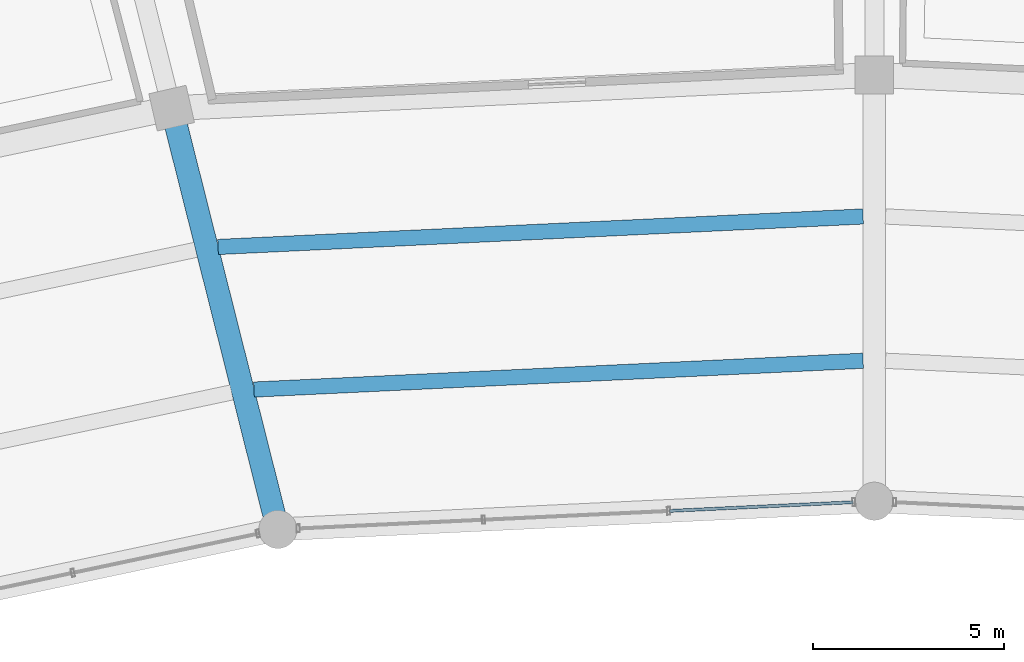
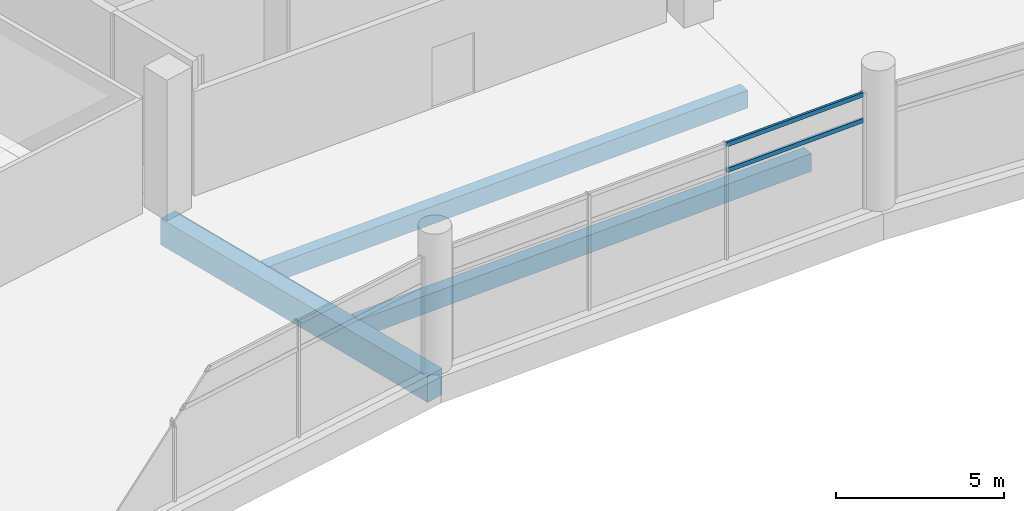
# One storey, part 109 of 184: 3 beams, 2 members, 1 element without a shape of its own.
"""IFC4 building model written with IfcOpenShell, lengths in metres."""

from ifc_helpers import new_model, si_unit, direction, frame, origin, origin_2d, place, context, subcontext, project, spatial, rectangle, hollow_rectangle, extrude, material, layer, layer_set, material_profile, profile_set, type_object, element, aggregate, save


model = new_model("IFC4")

# Units and contexts
model_context = context("Model", 3, precision=1e-05, world=origin(), true_north=direction((0.0, 1.0)))
body_context = subcontext(model_context, "Body", "Model", "MODEL_VIEW")
ifc_project = project(units=[si_unit("LENGTHUNIT", "METRE"), si_unit("AREAUNIT", "SQUARE_METRE"), si_unit("VOLUMEUNIT", "CUBIC_METRE"), si_unit("PLANEANGLEUNIT", "RADIAN"), si_unit("MASSUNIT", "GRAM", prefix="KILO")], contexts=[model_context])

# Site, building, storey
site_placement = place(None, origin())
site = spatial("IfcSite", under=ifc_project, at=site_placement, CompositionType="ELEMENT")
building_placement = place(site_placement, origin())
building = spatial("IfcBuilding", under=site, at=building_placement, Name="Kazemori Nagisa Stadium", CompositionType="ELEMENT")
storey_placement = place(building_placement, frame((0.0, 0.0, 10.5400390625)))
storey = spatial("IfcBuildingStorey", under=building, at=storey_placement, Name="L02", CompositionType="ELEMENT", Elevation=10.5400390625)

# Beams
ifc_material_1 = material(Name="Concrete C40/50 (Fc42)", Category="concrete")
ifc_material_profile_1 = material_profile(ifc_material_1, rectangle(XDim=0.60009765625, YDim=0.949951171875, at=origin_2d()), Name="RC-BM-600x950")
ifc_profile_set_1 = profile_set([ifc_material_profile_1], Name="Concrete C40/50 (Fc42)")
beam_type_1 = type_object("IfcBeamType", Name="Beam_BG-RC600X950", PredefinedType="BEAM", material=ifc_profile_set_1)
beam_1_placement = place(storey_placement, frame((107.35791015625, 164.040283203125, -0.735107421875), z_axis=(-0.244481205955, 0.969654031052, 0.0), x_axis=(-0.969654031052, -0.244481205955, 0.0)))
element("IfcBeam", 1, at=beam_1_placement, inside=storey, type_object=beam_type_1, Name="Radial girder BG-RC600X950 L02 R1-R2-09", PredefinedType="BEAM", context=body_context, shape_type="SweptSolid", body=[
    extrude(rectangle(XDim=0.60009765625, YDim=0.949951171875, at=origin_2d()), origin(), (0.0, 0.0, 1.0), 11.39404296875),
])
ifc_material_profile_2 = material_profile(ifc_material_1, rectangle(XDim=0.39990234375, YDim=0.64990234375, at=origin_2d()), Name="RC-BM-400x650")
ifc_profile_set_2 = profile_set([ifc_material_profile_2], Name="Concrete C40/50 (Fc42)")
beam_type_2 = type_object("IfcBeamType", Name="Beam_BJ-RC400X650", PredefinedType="JOIST", material=ifc_profile_set_2)
beam_2_placement = place(storey_placement, frame((122.705322265625, 168.464111328125, -0.5849609375), z_axis=(-0.998883867028, -0.047233676462, 0.0), x_axis=(0.047233676462, -0.998883867028, 0.0)))
element("IfcBeam", 2, at=beam_2_placement, inside=storey, type_object=beam_type_2, Name="Concourse joist BJ-RC400X650 L02 B08-1", PredefinedType="JOIST", context=body_context, shape_type="SweptSolid", body=[
    extrude(rectangle(XDim=0.39990234375, YDim=0.64990234375, at=origin_2d()), origin(), (0.0, 0.0, 1.0), 15.9921875),
])
beam_3_placement = place(storey_placement, frame((122.705322265625, 172.248046875, -0.5849609375), z_axis=(-0.998884256715, -0.047225434754, 0.0), x_axis=(0.047225434754, -0.998884256715, 0.0)))
element("IfcBeam", 3, at=beam_3_placement, inside=storey, type_object=beam_type_2, Name="Concourse joist BJ-RC400X650 L02 B08-2", PredefinedType="JOIST", context=body_context, shape_type="SweptSolid", body=[
    extrude(rectangle(XDim=0.39990234375, YDim=0.64990234375, at=origin_2d()), origin(), (0.0, 0.0, 1.0), 16.935791015625),
])

# Curtain wall, members
ifc_material_2 = material(Name="Anodised aluminium 6063-T5", Category="aluminium")
ifc_layer = layer(ifc_material_2, 0.2099609375, Name="Anodised aluminium 6063-T5", Category="aluminium")
ifc_layer_set = layer_set([ifc_layer], Name="Anodised aluminium 6063-T5")
curtain_wall_type = type_object("IfcCurtainWallType", Name="CW_L02B_73", PredefinedType="USERDEFINED", material=ifc_layer_set)
curtain_wall_placement = place(storey_placement, origin())
curtain_wall = element("IfcCurtainWall", 4, at=curtain_wall_placement, inside=storey, type_object=curtain_wall_type, Name="Unitised curtain wall CW-L02B-73 L02", ObjectType="UNITISED CURTAIN WALL", PredefinedType="USERDEFINED")
ifc_material_3 = material(Name="Aluminium 6063-T5 anodised", Category="aluminium")
ifc_material_profile_3 = material_profile(ifc_material_3, hollow_rectangle(XDim=0.080078125, YDim=0.159912109375, WallThickness=0.00390625, at=origin_2d()), Name="ALU-TRAN-80x160x4")
ifc_profile_set_3 = profile_set([ifc_material_profile_3], Name="Aluminium 6063-T5 anodised")
member_type = type_object("IfcMemberType", Name="Transom_T02", PredefinedType="USERDEFINED", material=ifc_profile_set_3)
member_1_placement = place(storey_placement, frame((122.445556640625, 164.75390625, 3.184326171875), z_axis=(-0.99888183829, -0.047276560097, 0.0), x_axis=(0.047276560097, -0.99888183829, 0.0)))
member_1 = element("IfcMember", 5, at=member_1_placement, type_object=member_type, Name="Curtain wall transom CW-L02B-73-T1-mid", ObjectType="TRANSOM", PredefinedType="USERDEFINED", context=body_context, shape_type="SweptSolid", body=[
    extrude(hollow_rectangle(XDim=0.080078125, YDim=0.159912109375, WallThickness=0.00390625, at=origin_2d()), origin(), (0.0, 0.0, 1.0), 4.8232421875),
])
member_2_placement = place(storey_placement, frame((122.445556640625, 164.75390625, 4.119873046875), z_axis=(-0.99888183829, -0.047276560097, 0.0), x_axis=(0.047276560097, -0.99888183829, 0.0)))
member_2 = element("IfcMember", 6, at=member_2_placement, type_object=member_type, Name="Curtain wall transom CW-L02B-73-T1-head", ObjectType="TRANSOM", PredefinedType="USERDEFINED", context=body_context, shape_type="SweptSolid", body=[
    extrude(hollow_rectangle(XDim=0.080078125, YDim=0.159912109375, WallThickness=0.00390625, at=origin_2d()), origin(), (0.0, 0.0, 1.0), 4.8232421875),
])
aggregate(curtain_wall, [member_1, member_2])

save(model, "model.ifc")
